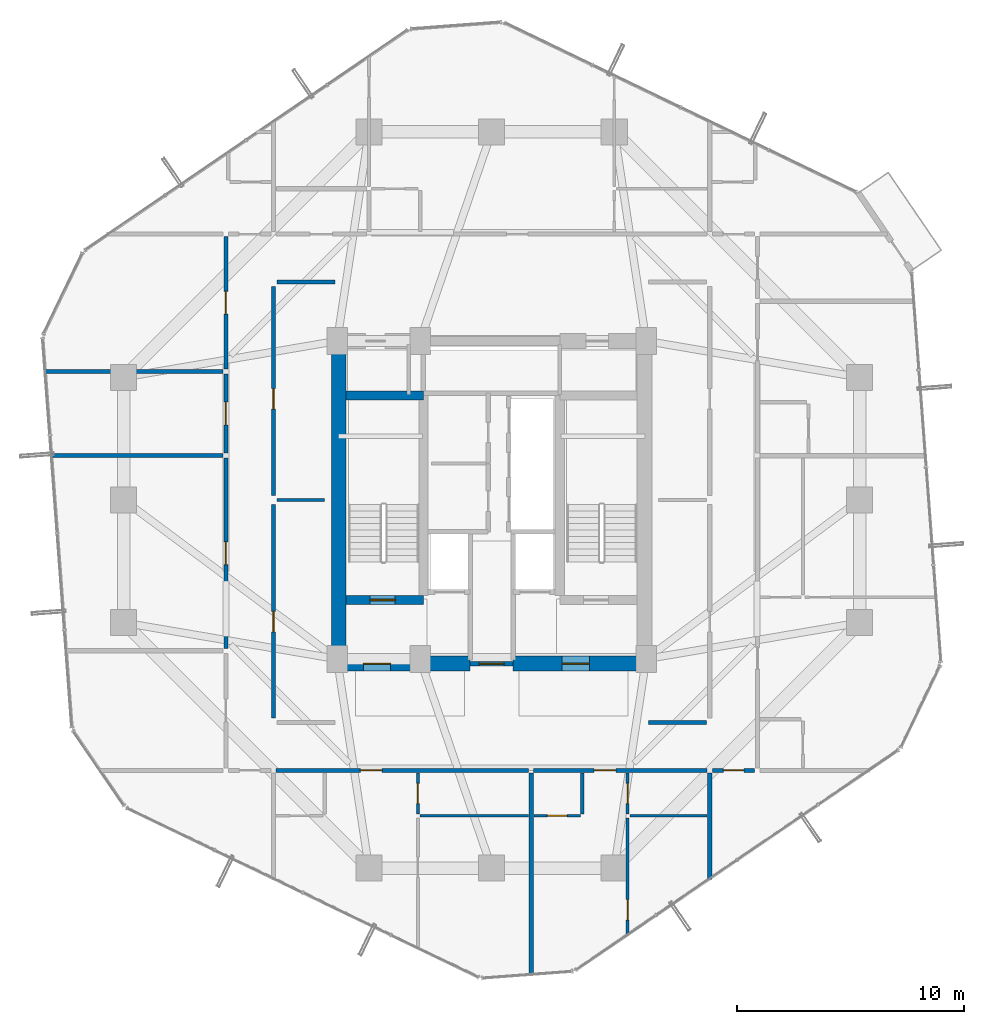
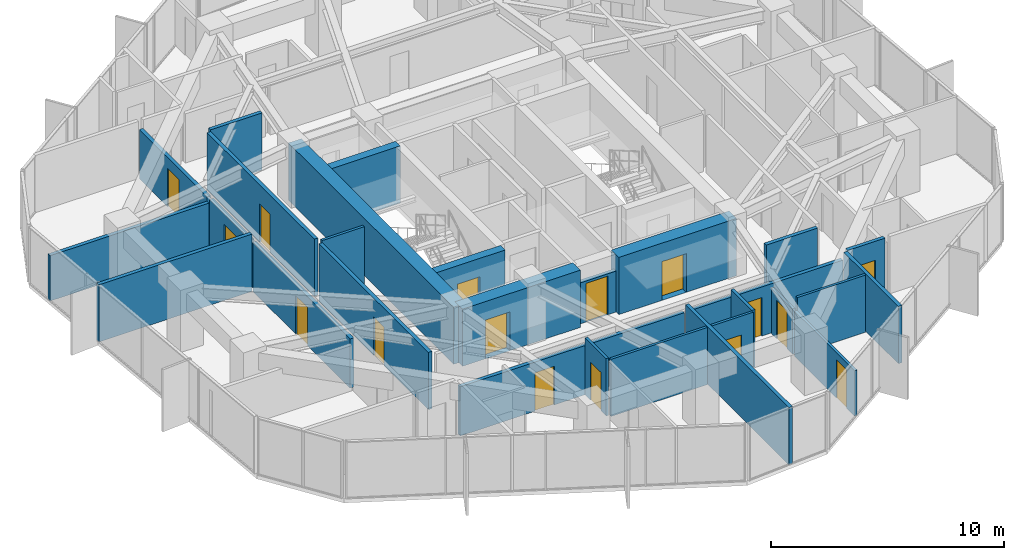
# One storey, part 30 of 35: 28 walls, 16 doors, 16 openings.
"""IFC4 building model written with IfcOpenShell, lengths in metres."""

from ifc_helpers import new_model, si_unit, direction, frame, frame_2d, origin, place, context, subcontext, project, spatial, rectangle, extrude, source, transform, mapped, material, layer, layer_set, type_object, element, fill, save


model = new_model("IFC4")

# Units and contexts
model_context = context("Model", 3, precision=1e-05, world=origin(), true_north=direction((0.0, 1.0)))
body_context = subcontext(model_context, "Body", "Model", "MODEL_VIEW")
ifc_project = project(units=[si_unit("LENGTHUNIT", "METRE"), si_unit("AREAUNIT", "SQUARE_METRE"), si_unit("VOLUMEUNIT", "CUBIC_METRE"), si_unit("PLANEANGLEUNIT", "RADIAN"), si_unit("MASSUNIT", "GRAM", prefix="KILO")], contexts=[model_context])

# Site, building, storey
site_placement = place(None, origin())
site = spatial("IfcSite", under=ifc_project, at=site_placement, CompositionType="ELEMENT")
building_placement = place(site_placement, origin())
building = spatial("IfcBuilding", under=site, at=building_placement, Name="Veraguas Prism Commons", CompositionType="ELEMENT")
storey_placement = place(building_placement, frame((0.0, 0.0, 142.5)))
storey = spatial("IfcBuildingStorey", under=building, at=storey_placement, Name="L40", CompositionType="ELEMENT", Elevation=142.5)

# Wall, opening, door
ifc_material_1 = material(Name="Concrete C50/60", Category="concrete")
ifc_layer_1 = layer(ifc_material_1, 0.39990234375, Name="Clinic and Mid Core Shear Wall RC 400", Category="concrete")
ifc_layer_set_1 = layer_set([ifc_layer_1], Name="Concrete C50/60")
wall_type_1 = type_object("IfcWallType", Name="Clinic and Mid Core Shear Wall RC 400", PredefinedType="SHEAR", material=ifc_layer_set_1)
wall_1_placement = place(storey_placement, frame((17.60009765625, 19.60009765625, 0.0), z_axis=(0.0, 0.0, 1.0), x_axis=(1.0, 0.0, 0.0)))
wall_1 = element("IfcWall", 1, at=wall_1_placement, inside=storey, type_object=wall_type_1, Name="Stair ST-01 South Shear Wall L40", PredefinedType="SHEAR", context=body_context, shape_type="SweptSolid", body=[
    extrude(rectangle(XDim=3.39990234375, YDim=0.39990234375, at=frame_2d((1.699951171875, 0.0))), origin(), (0.0, 0.0, 1.0), 3.0),
])
opening_1_placement = place(wall_1_placement, frame((1.050048828125, 0.0, 0.0)))
opening_1 = element("IfcOpeningElement", 2, at=opening_1_placement, cuts=wall_1, Name="Opening DR-05", PredefinedType="OPENING", context=body_context, shape_type="SweptSolid", body=[
    extrude(rectangle(XDim=1.10009765625, YDim=2.030029296875, at=frame_2d((0.550048828125, 1.01513671875))), frame((0.0, 0.2099609375, 0.0), z_axis=(0.0, -1.0, 0.0), x_axis=(1.0, 0.0, 0.0)), (0.0, 0.0, 1.0), 0.419921875),
])
ifc_material_2 = material(Name="Steel fire-rated door assembly", Category="steel")
door_type_1 = type_object("IfcDoorType", Name="Protected Stair and Refuge Fire Door 1100x2030", OperationType="NOTDEFINED", PredefinedType="DOOR", material=ifc_material_2)
shared_shape_1 = source(origin(), body_context, "Body", "SweptSolid", [
    extrude(rectangle(XDim=1.10009765625, YDim=2.030029296875, at=frame_2d((0.550048828125, 1.01513671875))), frame((0.0, 0.02490234375, 0.0), z_axis=(0.0, -1.0, 0.0), x_axis=(1.0, 0.0, 0.0)), (0.0, 0.0, 1.0), 0.050048828125),
])
door_1_placement = place(opening_1_placement, origin())
door_1 = element("IfcDoor", 3, at=door_1_placement, inside=storey, type_object=door_type_1, Name="Stair ST-01 Enclosure Door L40", OperationType="SINGLE_SWING_RIGHT", OverallHeight=2.030029296875, OverallWidth=1.10009765625, PredefinedType="DOOR", context=body_context, shape_type="MappedRepresentation", body=[
    mapped(shared_shape_1, transform((0.0, 0.0, 0.0), scale=1.0)),
])
fill(opening_1, door_1)

# Walls
wall_2_placement = place(storey_placement, frame((17.60009765625, 28.60009765625, 0.0), z_axis=(0.0, 0.0, 1.0), x_axis=(1.0, 0.0, 0.0)))
element("IfcWall", 4, at=wall_2_placement, inside=storey, type_object=wall_type_1, Name="Stair ST-01 North Shear Wall L40", PredefinedType="SHEAR", context=body_context, shape_type="SweptSolid", body=[
    extrude(rectangle(XDim=3.39990234375, YDim=0.39990234375, at=frame_2d((1.699951171875, 0.0))), origin(), (0.0, 0.0, 1.0), 3.0),
])
ifc_material_3 = material(Name="Concrete C55/67", Category="concrete")
ifc_layer_2 = layer(ifc_material_3, 0.64990234375, Name="Core Outer Shear Wall Mid RC 650", Category="concrete")
ifc_layer_set_2 = layer_set([ifc_layer_2], Name="Concrete C55/67")
wall_type_2 = type_object("IfcWallType", Name="Core Outer Shear Wall Mid RC 650", PredefinedType="SHEAR", material=ifc_layer_set_2)
wall_3_placement = place(storey_placement, frame((17.27490234375, 16.800048828125, 0.0), z_axis=(0.0, 0.0, 1.0), x_axis=(0.0, 1.0, 0.0)))
element("IfcWall", 5, at=wall_3_placement, inside=storey, type_object=wall_type_2, Name="Central Core West Shear Wall L40", PredefinedType="SHEAR", context=body_context, shape_type="SweptSolid", body=[
    extrude(rectangle(XDim=14.199951171875, YDim=0.64990234375, at=frame_2d((7.10009765625, 0.0))), origin(), (0.0, 0.0, 1.0), 3.0),
])

# Wall, opening, door
wall_4_placement = place(storey_placement, frame((17.199951171875, 16.800048828125, 0.0), z_axis=(0.0, 0.0, 1.0), x_axis=(1.0, 0.0, 0.0)))
wall_4 = element("IfcWall", 6, at=wall_4_placement, inside=storey, type_object=wall_type_2, Name="Central Core South-West Shear Wall L40", PredefinedType="SHEAR", context=body_context, shape_type="SweptSolid", body=[
    extrude(rectangle(XDim=5.85009765625, YDim=0.64990234375, at=frame_2d((2.925048828125, 0.0))), origin(), (0.0, 0.0, 1.0), 3.0),
])
opening_2_placement = place(wall_4_placement, frame((1.14990234375, 0.0, 0.0)))
opening_2 = element("IfcOpeningElement", 7, at=opening_2_placement, cuts=wall_4, Name="Opening DR-06", PredefinedType="OPENING", context=body_context, shape_type="SweptSolid", body=[
    extrude(rectangle(XDim=1.199951171875, YDim=2.030029296875, at=frame_2d((0.60009765625, 1.01513671875))), frame((0.0, 0.3349609375, 0.0), z_axis=(0.0, -1.0, 0.0), x_axis=(1.0, 0.0, 0.0)), (0.0, 0.0, 1.0), 0.669921875),
])
door_type_2 = type_object("IfcDoorType", Name="Firefighting Lobby Smoke Door 1200x2030", OperationType="NOTDEFINED", PredefinedType="DOOR", material=ifc_material_2)
shared_shape_2 = source(origin(), body_context, "Body", "SweptSolid", [
    extrude(rectangle(XDim=1.199951171875, YDim=2.030029296875, at=frame_2d((0.60009765625, 1.01513671875))), frame((0.0, 0.02490234375, 0.0), z_axis=(0.0, -1.0, 0.0), x_axis=(1.0, 0.0, 0.0)), (0.0, 0.0, 1.0), 0.050048828125),
])
door_2_placement = place(opening_2_placement, origin())
door_2 = element("IfcDoor", 8, at=door_2_placement, inside=storey, type_object=door_type_2, Name="West FF Lobby Door L40", OperationType="SINGLE_SWING_LEFT", OverallHeight=2.030029296875, OverallWidth=1.199951171875, PredefinedType="DOOR", context=body_context, shape_type="MappedRepresentation", body=[
    mapped(shared_shape_2, transform((0.0, 0.0, 0.0), scale=1.0)),
])
fill(opening_2, door_2)

wall_5_placement = place(storey_placement, frame((24.949951171875, 16.800048828125, 0.0), z_axis=(0.0, 0.0, 1.0), x_axis=(1.0, 0.0, 0.0)))
wall_5 = element("IfcWall", 9, at=wall_5_placement, inside=storey, type_object=wall_type_2, Name="Central Core South-East Shear Wall L40", PredefinedType="SHEAR", context=body_context, shape_type="SweptSolid", body=[
    extrude(rectangle(XDim=5.85009765625, YDim=0.64990234375, at=frame_2d((2.925048828125, 0.0))), origin(), (0.0, 0.0, 1.0), 3.0),
])
opening_3_placement = place(wall_5_placement, frame((2.14990234375, 0.0, 0.0)))
opening_3 = element("IfcOpeningElement", 10, at=opening_3_placement, cuts=wall_5, Name="Opening DR-06", PredefinedType="OPENING", context=body_context, shape_type="SweptSolid", body=[
    extrude(rectangle(XDim=1.199951171875, YDim=2.030029296875, at=frame_2d((0.60009765625, 1.01513671875))), frame((0.0, 0.3349609375, 0.0), z_axis=(0.0, -1.0, 0.0), x_axis=(1.0, 0.0, 0.0)), (0.0, 0.0, 1.0), 0.669921875),
])
door_3_placement = place(opening_3_placement, origin())
door_3 = element("IfcDoor", 11, at=door_3_placement, inside=storey, type_object=door_type_2, Name="East FF Lobby Door L40", OperationType="SINGLE_SWING_LEFT", OverallHeight=2.030029296875, OverallWidth=1.199951171875, PredefinedType="DOOR", context=body_context, shape_type="MappedRepresentation", body=[
    mapped(shared_shape_2, transform((0.0, 0.0, 0.0), scale=1.0)),
])
fill(opening_3, door_3)

ifc_material_4 = material(Name="Autoclaved aerated masonry block 10 MPa", Category="masonry")
ifc_layer_3 = layer(ifc_material_4, 0.179931640625, Name="Corridor and Inter-Tenancy Partition 180", Category="masonry")
ifc_layer_set_3 = layer_set([ifc_layer_3], Name="Autoclaved aerated masonry block 10 MPa")
wall_type_3 = type_object("IfcWallType", Name="Corridor and Inter-Tenancy Partition 180", PredefinedType="PARTITIONING", material=ifc_layer_set_3)
wall_6_placement = place(storey_placement, frame((14.39990234375, 14.39990234375, 0.0), z_axis=(0.0, 0.0, 1.0), x_axis=(0.0, 1.0, 0.0)))
wall_6 = element("IfcWall", 12, at=wall_6_placement, inside=storey, type_object=wall_type_3, Name="WL-L40-IRW1", PredefinedType="PARTITIONING", context=body_context, shape_type="SweptSolid", body=[
    extrude(rectangle(XDim=9.400146484375, YDim=0.179931640625, at=frame_2d((4.7001953125, 0.0))), origin(), (0.0, 0.0, 1.0), 3.0),
])
opening_4_placement = place(wall_6_placement, frame((3.800048828125, 0.0, 0.0)))
opening_4 = element("IfcOpeningElement", 13, at=opening_4_placement, cuts=wall_6, Name="Opening DR-14", PredefinedType="OPENING", context=body_context, shape_type="SweptSolid", body=[
    extrude(rectangle(XDim=0.89990234375, YDim=2.010009765625, at=frame_2d((0.449951171875, 1.0048828125))), frame((0.0, 0.099853515625, 0.0), z_axis=(0.0, -1.0, 0.0), x_axis=(1.0, 0.0, 0.0)), (0.0, 0.0, 1.0), 0.199951171875),
])
door_type_3 = type_object("IfcDoorType", Name="Core Service Room Fire Door 900x2010", OperationType="NOTDEFINED", PredefinedType="DOOR", material=ifc_material_2)
shared_shape_3 = source(origin(), body_context, "Body", "SweptSolid", [
    extrude(rectangle(XDim=0.89990234375, YDim=2.010009765625, at=frame_2d((0.449951171875, 1.0048828125))), frame((0.0, 0.02490234375, 0.0), z_axis=(0.0, -1.0, 0.0), x_axis=(1.0, 0.0, 0.0)), (0.0, 0.0, 1.0), 0.050048828125),
])
door_4_placement = place(opening_4_placement, origin())
door_4 = element("IfcDoor", 14, at=door_4_placement, inside=storey, type_object=door_type_3, Name="Residents Quiet Study Pod Door L40", OperationType="SINGLE_SWING_RIGHT", OverallHeight=2.010009765625, OverallWidth=0.89990234375, PredefinedType="DOOR", context=body_context, shape_type="MappedRepresentation", body=[
    mapped(shared_shape_3, transform((0.0, 0.0, 0.0), scale=1.0)),
])
fill(opening_4, door_4)

wall_7_placement = place(storey_placement, frame((14.39990234375, 24.199951171875, 0.0), z_axis=(0.0, 0.0, 1.0), x_axis=(0.0, 1.0, 0.0)))
wall_7 = element("IfcWall", 15, at=wall_7_placement, inside=storey, type_object=wall_type_3, Name="WL-L40-IRW2", PredefinedType="PARTITIONING", context=body_context, shape_type="SweptSolid", body=[
    extrude(rectangle(XDim=9.199951171875, YDim=0.179931640625, at=frame_2d((4.60009765625, 0.0))), origin(), (0.0, 0.0, 1.0), 3.0),
])
opening_5_placement = place(wall_7_placement, frame((3.800048828125, 0.0, 0.0)))
opening_5 = element("IfcOpeningElement", 16, at=opening_5_placement, cuts=wall_7, Name="Opening DR-14", PredefinedType="OPENING", context=body_context, shape_type="SweptSolid", body=[
    extrude(rectangle(XDim=0.89990234375, YDim=2.010009765625, at=frame_2d((0.449951171875, 1.0048828125))), frame((0.0, 0.099853515625, 0.0), z_axis=(0.0, -1.0, 0.0), x_axis=(1.0, 0.0, 0.0)), (0.0, 0.0, 1.0), 0.199951171875),
])
door_5_placement = place(opening_5_placement, origin())
door_5 = element("IfcDoor", 17, at=door_5_placement, inside=storey, type_object=door_type_3, Name="Co-op Cycle and Pram Store Door L40", OperationType="SINGLE_SWING_LEFT", OverallHeight=2.010009765625, OverallWidth=0.89990234375, PredefinedType="DOOR", context=body_context, shape_type="MappedRepresentation", body=[
    mapped(shared_shape_3, transform((0.0, 0.0, 0.0), scale=1.0)),
])
fill(opening_5, door_5)

# Walls
for number, where, z_axis, x_axis, name in (
    (18, (14.550048828125, 33.60009765625, 0.0), (0.0, 0.0, 1.0), (1.0, 0.0, 0.0), "WL-L40-IRWN"),
    (19, (30.89990234375, 14.199951171875, 0.0), (0.0, 0.0, 1.0), (1.0, 0.0, 0.0), "WL-L40-IRES"),
):
    element("IfcWall", number, at=place(storey_placement, frame(where, z_axis=z_axis, x_axis=x_axis)), inside=storey, type_object=wall_type_3, Name=name, PredefinedType="PARTITIONING", context=body_context, shape_type="SweptSolid", body=[
        extrude(rectangle(XDim=2.550048828125, YDim=0.179931640625, at=frame_2d((1.27490234375, 0.0))), origin(), (0.0, 0.0, 1.0), 3.0),
    ])
wall_8_placement = place(storey_placement, frame((33.60009765625, 11.97998046875, 0.0), z_axis=(0.0, 0.0, 1.0), x_axis=(0.0, -1.0, 0.0)))
element("IfcWall", 20, at=wall_8_placement, inside=storey, type_object=wall_type_3, Name="WL-L40-PT002", PredefinedType="PARTITIONING", context=body_context, shape_type="SweptSolid", body=[
    extrude(rectangle(XDim=4.688232421875, YDim=0.179931640625, at=frame_2d((2.34423828125, 0.0))), origin(), (0.0, 0.0, 1.0), 3.0),
])

# Wall, opening, door
wall_9_placement = place(storey_placement, frame((14.510009765625, 12.10009765625, 0.0), z_axis=(0.0, 0.0, 1.0), x_axis=(1.0, 0.0, 0.0)))
wall_9 = element("IfcWall", 21, at=wall_9_placement, inside=storey, type_object=wall_type_3, Name="WL-L40-PT003", PredefinedType="PARTITIONING", context=body_context, shape_type="SweptSolid", body=[
    extrude(rectangle(XDim=11.1240234375, YDim=0.179931640625, at=frame_2d((5.56201171875, 0.0))), origin(), (0.0, 0.0, 1.0), 2.580078125),
])
opening_6_placement = place(wall_9_placement, frame((3.716552734375, 0.0, 0.0)))
opening_6 = element("IfcOpeningElement", 22, at=opening_6_placement, cuts=wall_9, Name="Opening DR-01", PredefinedType="OPENING", context=body_context, shape_type="SweptSolid", body=[
    extrude(rectangle(XDim=0.949951171875, YDim=2.02001953125, at=frame_2d((0.47509765625, 1.010009765625))), frame((0.0, 0.099853515625, 0.0), z_axis=(0.0, -1.0, 0.0), x_axis=(1.0, 0.0, 0.0)), (0.0, 0.0, 1.0), 0.199951171875),
])
ifc_material_5 = material(Name="Anodised aluminium EN AW-6063 T6", Category="aluminium")
door_type_4 = type_object("IfcDoorType", Name="Apartment Entrance Fire Door 950x2020", OperationType="NOTDEFINED", PredefinedType="DOOR", material=ifc_material_5)
shared_shape_4 = source(origin(), body_context, "Body", "SweptSolid", [
    extrude(rectangle(XDim=0.949951171875, YDim=2.02001953125, at=frame_2d((0.47509765625, 1.010009765625))), frame((0.0, 0.02490234375, 0.0), z_axis=(0.0, -1.0, 0.0), x_axis=(1.0, 0.0, 0.0)), (0.0, 0.0, 1.0), 0.050048828125),
])
door_6_placement = place(opening_6_placement, origin())
door_6 = element("IfcDoor", 23, at=door_6_placement, inside=storey, type_object=door_type_4, Name="Flat 40A Entrance Door", OperationType="SINGLE_SWING_RIGHT", OverallHeight=2.02001953125, OverallWidth=0.949951171875, PredefinedType="DOOR", context=body_context, shape_type="MappedRepresentation", body=[
    mapped(shared_shape_4, transform((0.0, 0.0, 0.0), scale=1.0)),
])
fill(opening_6, door_6)

# Wall
wall_10_placement = place(storey_placement, frame((25.743896484375, 11.97998046875, 0.0), z_axis=(0.0, 0.0, 1.0), x_axis=(0.0, -1.0, 0.0)))
element("IfcWall", 24, at=wall_10_placement, inside=storey, type_object=wall_type_3, Name="WL-L40-PT009", PredefinedType="PARTITIONING", context=body_context, shape_type="SweptSolid", body=[
    extrude(rectangle(XDim=8.88916015625, YDim=0.179931640625, at=frame_2d((4.444580078125, 0.0))), origin(), (0.0, 0.0, 1.0), 3.0),
])

# Wall, opening, door
wall_11_placement = place(storey_placement, frame((25.85400390625, 12.10009765625, 0.0), z_axis=(0.0, 0.0, 1.0), x_axis=(1.0, 0.0, 0.0)))
wall_11 = element("IfcWall", 25, at=wall_11_placement, inside=storey, type_object=wall_type_3, Name="WL-L40-PT010", PredefinedType="PARTITIONING", context=body_context, shape_type="SweptSolid", body=[
    extrude(rectangle(XDim=7.635986328125, YDim=0.179931640625, at=frame_2d((3.81787109375, 0.0))), origin(), (0.0, 0.0, 1.0), 2.580078125),
])
opening_7_placement = place(wall_11_placement, frame((2.660888671875, 0.0, 0.0)))
opening_7 = element("IfcOpeningElement", 26, at=opening_7_placement, cuts=wall_11, Name="Opening DR-01", PredefinedType="OPENING", context=body_context, shape_type="SweptSolid", body=[
    extrude(rectangle(XDim=0.949951171875, YDim=2.02001953125, at=frame_2d((0.47509765625, 1.010009765625))), frame((0.0, 0.099853515625, 0.0), z_axis=(0.0, -1.0, 0.0), x_axis=(1.0, 0.0, 0.0)), (0.0, 0.0, 1.0), 0.199951171875),
])
door_7_placement = place(opening_7_placement, origin())
door_7 = element("IfcDoor", 27, at=door_7_placement, inside=storey, type_object=door_type_4, Name="Flat 40B Entrance Door", OperationType="SINGLE_SWING_RIGHT", OverallHeight=2.02001953125, OverallWidth=0.949951171875, PredefinedType="DOOR", context=body_context, shape_type="MappedRepresentation", body=[
    mapped(shared_shape_4, transform((0.0, 0.0, 0.0), scale=1.0)),
])
fill(opening_7, door_7)

wall_12_placement = place(storey_placement, frame((12.300048828125, 17.47412109375, 0.0), z_axis=(0.0, 0.0, 1.0), x_axis=(0.0, 1.0, 0.0)))
wall_12 = element("IfcWall", 28, at=wall_12_placement, inside=storey, type_object=wall_type_3, Name="WL-L40-PT031", PredefinedType="PARTITIONING", context=body_context, shape_type="SweptSolid", body=[
    extrude(rectangle(XDim=8.367919921875, YDim=0.179931640625, at=frame_2d((4.18408203125, 0.0))), origin(), (0.0, 0.0, 1.0), 2.580078125),
])
opening_8_placement = place(wall_12_placement, frame((3.68408203125, 0.0, 0.0)))
opening_8 = element("IfcOpeningElement", 29, at=opening_8_placement, cuts=wall_12, Name="Opening DR-13", PredefinedType="OPENING", context=body_context, shape_type="SweptSolid", body=[
    extrude(rectangle(XDim=1.0, YDim=2.010009765625, at=frame_2d((0.5, 1.0048828125))), frame((0.0, 0.099853515625, 0.0), z_axis=(0.0, -1.0, 0.0), x_axis=(1.0, 0.0, 0.0)), (0.0, 0.0, 1.0), 0.199951171875),
])
door_type_5 = type_object("IfcDoorType", Name="Core Accessible WC and Clinic Fire Door 1000x2010", OperationType="NOTDEFINED", PredefinedType="DOOR", material=ifc_material_2)
shared_shape_5 = source(origin(), body_context, "Body", "SweptSolid", [
    extrude(rectangle(XDim=1.0, YDim=2.010009765625, at=frame_2d((0.5, 1.0048828125))), frame((0.0, 0.02490234375, 0.0), z_axis=(0.0, -1.0, 0.0), x_axis=(1.0, 0.0, 0.0)), (0.0, 0.0, 1.0), 0.050048828125),
])
door_8_placement = place(opening_8_placement, origin())
door_8 = element("IfcDoor", 30, at=door_8_placement, inside=storey, type_object=door_type_5, Name="Co-op Store W Door", OperationType="SINGLE_SWING_LEFT", OverallHeight=2.010009765625, OverallWidth=1.0, PredefinedType="DOOR", context=body_context, shape_type="MappedRepresentation", body=[
    mapped(shared_shape_5, transform((0.0, 0.0, 0.0), scale=1.0)),
])
fill(opening_8, door_8)

# Wall
wall_13_placement = place(storey_placement, frame((12.179931640625, 25.951904296875, 0.0), z_axis=(0.0, 0.0, 1.0), x_axis=(-1.0, 0.0, 0.0)))
element("IfcWall", 31, at=wall_13_placement, inside=storey, type_object=wall_type_3, Name="WL-L40-PT033", PredefinedType="PARTITIONING", context=body_context, shape_type="SweptSolid", body=[
    extrude(rectangle(XDim=7.593505859375, YDim=0.179931640625, at=frame_2d((3.796875, 0.0))), origin(), (0.0, 0.0, 1.0), 3.0),
])

# Wall, opening, door
wall_14_placement = place(storey_placement, frame((12.300048828125, 26.06201171875, 0.0), z_axis=(0.0, 0.0, 1.0), x_axis=(0.0, 1.0, 0.0)))
wall_14 = element("IfcWall", 32, at=wall_14_placement, inside=storey, type_object=wall_type_3, Name="WL-L40-PT034", PredefinedType="PARTITIONING", context=body_context, shape_type="SweptSolid", body=[
    extrude(rectangle(XDim=3.48388671875, YDim=0.179931640625, at=frame_2d((1.741943359375, 0.0))), origin(), (0.0, 0.0, 1.0), 2.580078125),
])
opening_9_placement = place(wall_14_placement, frame((1.241943359375, 0.0, 0.0)))
opening_9 = element("IfcOpeningElement", 33, at=opening_9_placement, cuts=wall_14, Name="Opening DR-13", PredefinedType="OPENING", context=body_context, shape_type="SweptSolid", body=[
    extrude(rectangle(XDim=1.0, YDim=2.010009765625, at=frame_2d((0.5, 1.0048828125))), frame((0.0, 0.099853515625, 0.0), z_axis=(0.0, -1.0, 0.0), x_axis=(1.0, 0.0, 0.0)), (0.0, 0.0, 1.0), 0.199951171875),
])
door_9_placement = place(opening_9_placement, origin())
door_9 = element("IfcDoor", 34, at=door_9_placement, inside=storey, type_object=door_type_5, Name="Youth Homework Study Room Door", OperationType="SINGLE_SWING_RIGHT", OverallHeight=2.010009765625, OverallWidth=1.0, PredefinedType="DOOR", context=body_context, shape_type="MappedRepresentation", body=[
    mapped(shared_shape_5, transform((0.0, 0.0, 0.0), scale=1.0)),
])
fill(opening_9, door_9)

wall_15_placement = place(storey_placement, frame((12.300048828125, 29.76611328125, 0.0), z_axis=(0.0, 0.0, 1.0), x_axis=(0.0, 1.0, 0.0)))
wall_15 = element("IfcWall", 35, at=wall_15_placement, inside=storey, type_object=wall_type_3, Name="WL-L40-PT035", PredefinedType="PARTITIONING", context=body_context, shape_type="SweptSolid", body=[
    extrude(rectangle(XDim=5.823974609375, YDim=0.179931640625, at=frame_2d((2.912109375, 0.0))), origin(), (0.0, 0.0, 1.0), 2.580078125),
])
opening_10_placement = place(wall_15_placement, frame((2.412109375, 0.0, 0.0)))
opening_10 = element("IfcOpeningElement", 36, at=opening_10_placement, cuts=wall_15, Name="Opening DR-13", PredefinedType="OPENING", context=body_context, shape_type="SweptSolid", body=[
    extrude(rectangle(XDim=1.0, YDim=2.010009765625, at=frame_2d((0.5, 1.0048828125))), frame((0.0, 0.099853515625, 0.0), z_axis=(0.0, -1.0, 0.0), x_axis=(1.0, 0.0, 0.0)), (0.0, 0.0, 1.0), 0.199951171875),
])
door_10_placement = place(opening_10_placement, origin())
door_10 = element("IfcDoor", 37, at=door_10_placement, inside=storey, type_object=door_type_5, Name="Co-op Store W Door", OperationType="SINGLE_SWING_LEFT", OverallHeight=2.010009765625, OverallWidth=1.0, PredefinedType="DOOR", context=body_context, shape_type="MappedRepresentation", body=[
    mapped(shared_shape_5, transform((0.0, 0.0, 0.0), scale=1.0)),
])
fill(opening_10, door_10)

# Wall
wall_16_placement = place(storey_placement, frame((12.179931640625, 29.656005859375, 0.0), z_axis=(0.0, 0.0, 1.0), x_axis=(-1.0, 0.0, 0.0)))
element("IfcWall", 38, at=wall_16_placement, inside=storey, type_object=wall_type_3, Name="WL-L40-PT036", PredefinedType="PARTITIONING", context=body_context, shape_type="SweptSolid", body=[
    extrude(rectangle(XDim=7.871826171875, YDim=0.179931640625, at=frame_2d((3.93603515625, 0.0))), origin(), (0.0, 0.0, 1.0), 2.3779296875),
])

# Wall, opening, door
wall_17_placement = place(storey_placement, frame((33.719970703125, 12.10009765625, 0.0), z_axis=(0.0, 0.0, 1.0), x_axis=(1.0, 0.0, 0.0)))
wall_17 = element("IfcWall", 39, at=wall_17_placement, inside=storey, type_object=wall_type_3, Name="WL-L40-PT052", PredefinedType="PARTITIONING", context=body_context, shape_type="SweptSolid", body=[
    extrude(rectangle(XDim=1.860107421875, YDim=0.179931640625, at=frame_2d((0.93017578125, 0.0))), origin(), (0.0, 0.0, 1.0), 3.0),
])
opening_11_placement = place(wall_17_placement, frame((0.47998046875, 0.0, 0.0)))
opening_11 = element("IfcOpeningElement", 40, at=opening_11_placement, cuts=wall_17, Name="Opening DR-14", PredefinedType="OPENING", context=body_context, shape_type="SweptSolid", body=[
    extrude(rectangle(XDim=0.89990234375, YDim=2.010009765625, at=frame_2d((0.449951171875, 1.0048828125))), frame((0.0, 0.099853515625, 0.0), z_axis=(0.0, -1.0, 0.0), x_axis=(1.0, 0.0, 0.0)), (0.0, 0.0, 1.0), 0.199951171875),
])
door_11_placement = place(opening_11_placement, origin())
door_11 = element("IfcDoor", 41, at=door_11_placement, inside=storey, type_object=door_type_3, Name="Community Co-op Kitchen SE Door", OperationType="SINGLE_SWING_RIGHT", OverallHeight=2.010009765625, OverallWidth=0.89990234375, PredefinedType="DOOR", context=body_context, shape_type="MappedRepresentation", body=[
    mapped(shared_shape_3, transform((0.0, 0.0, 0.0), scale=1.0)),
])
fill(opening_11, door_11)

# Wall
ifc_material_6 = material(Name="Lightweight acoustic gypsum board")
ifc_layer_4 = layer(ifc_material_6, 0.125, Name="Internal Apartment Room Partition 125")
ifc_layer_set_4 = layer_set([ifc_layer_4], Name="Lightweight acoustic gypsum board")
wall_type_4 = type_object("IfcWallType", Name="Internal Apartment Room Partition 125", PredefinedType="PARTITIONING", material=ifc_layer_set_4)
wall_18_placement = place(storey_placement, frame((14.550048828125, 24.0, 0.0), z_axis=(0.0, 0.0, 1.0), x_axis=(1.0, 0.0, 0.0)))
element("IfcWall", 42, at=wall_18_placement, inside=storey, type_object=wall_type_4, Name="WL-L40-IRWM", PredefinedType="PARTITIONING", context=body_context, shape_type="SweptSolid", body=[
    extrude(rectangle(XDim=2.099853515625, YDim=0.125, at=frame_2d((1.0498046875, 0.0))), origin(), (0.0, 0.0, 1.0), 3.0),
])

# Wall, opening, door
wall_19_placement = place(storey_placement, frame((20.7529296875, 11.97998046875, 0.0), z_axis=(0.0, 0.0, 1.0), x_axis=(0.0, -1.0, 0.0)))
wall_19 = element("IfcWall", 43, at=wall_19_placement, inside=storey, type_object=wall_type_4, Name="WL-L40-PT006", PredefinedType="PARTITIONING", context=body_context, shape_type="SweptSolid", body=[
    extrude(rectangle(XDim=1.800048828125, YDim=0.125, at=frame_2d((0.89990234375, 0.0))), origin(), (0.0, 0.0, 1.0), 3.0),
])
opening_12_placement = place(wall_19_placement, frame((0.449951171875, 0.0, 0.0)))
opening_12 = element("IfcOpeningElement", 44, at=opening_12_placement, cuts=wall_19, Name="Opening DR-02", PredefinedType="OPENING", context=body_context, shape_type="SweptSolid", body=[
    extrude(rectangle(XDim=0.89990234375, YDim=2.010009765625, at=frame_2d((0.449951171875, 1.0048828125))), frame((0.0, 0.072509765625, 0.0), z_axis=(0.0, -1.0, 0.0), x_axis=(1.0, 0.0, 0.0)), (0.0, 0.0, 1.0), 0.14501953125),
])
ifc_material_7 = material(Name="Timber solid core hardwood", Category="wood")
door_type_6 = type_object("IfcDoorType", Name="Internal Habitable Room Door 900x2010", OperationType="NOTDEFINED", PredefinedType="DOOR", material=ifc_material_7)
door_12_placement = place(opening_12_placement, origin())
door_12 = element("IfcDoor", 45, at=door_12_placement, inside=storey, type_object=door_type_6, Name="Flat 40A Kitchen Door", OperationType="SINGLE_SWING_RIGHT", OverallHeight=2.010009765625, OverallWidth=0.89990234375, PredefinedType="DOOR", context=body_context, shape_type="MappedRepresentation", body=[
    mapped(shared_shape_3, transform((0.0, 0.0, 0.0), scale=1.0)),
])
fill(opening_12, door_12)

# Wall
wall_20_placement = place(storey_placement, frame((20.85302734375, 10.10009765625, 0.0), z_axis=(0.0, 0.0, 1.0), x_axis=(1.0, 0.0, 0.0)))
element("IfcWall", 46, at=wall_20_placement, inside=storey, type_object=wall_type_4, Name="WL-L40-PT007", PredefinedType="PARTITIONING", context=body_context, shape_type="SweptSolid", body=[
    extrude(rectangle(XDim=4.77099609375, YDim=0.125, at=frame_2d((2.385498046875, 0.0))), origin(), (0.0, 0.0, 1.0), 3.0),
])

# Wall, opening, door
wall_21_placement = place(storey_placement, frame((25.864013671875, 10.10009765625, 0.0), z_axis=(0.0, 0.0, 1.0), x_axis=(1.0, 0.0, 0.0)))
wall_21 = element("IfcWall", 47, at=wall_21_placement, inside=storey, type_object=wall_type_4, Name="WL-L40-PT012", PredefinedType="PARTITIONING", context=body_context, shape_type="SweptSolid", body=[
    extrude(rectangle(XDim=2.050048828125, YDim=0.125, at=frame_2d((1.02490234375, 0.0))), origin(), (0.0, 0.0, 1.0), 3.0),
])
opening_13_placement = place(wall_21_placement, frame((0.594970703125, 0.0, 0.0)))
opening_13 = element("IfcOpeningElement", 48, at=opening_13_placement, cuts=wall_21, Name="Opening DR-03", PredefinedType="OPENING", context=body_context, shape_type="SweptSolid", body=[
    extrude(rectangle(XDim=0.860107421875, YDim=2.010009765625, at=frame_2d((0.43017578125, 1.0048828125))), frame((0.0, 0.072509765625, 0.0), z_axis=(0.0, -1.0, 0.0), x_axis=(1.0, 0.0, 0.0)), (0.0, 0.0, 1.0), 0.14501953125),
])
ifc_material_8 = material(Name="Timber moisture-resistant leaf", Category="wood")
door_type_7 = type_object("IfcDoorType", Name="Internal Bathroom Door 860x2010", OperationType="NOTDEFINED", PredefinedType="DOOR", material=ifc_material_8)
shared_shape_6 = source(origin(), body_context, "Body", "SweptSolid", [
    extrude(rectangle(XDim=0.860107421875, YDim=2.010009765625, at=frame_2d((0.43017578125, 1.0048828125))), frame((0.0, 0.02490234375, 0.0), z_axis=(0.0, -1.0, 0.0), x_axis=(1.0, 0.0, 0.0)), (0.0, 0.0, 1.0), 0.050048828125),
])
door_13_placement = place(opening_13_placement, origin())
door_13 = element("IfcDoor", 49, at=door_13_placement, inside=storey, type_object=door_type_7, Name="Flat 40B Bathroom Door", OperationType="SINGLE_SWING_LEFT", OverallHeight=2.010009765625, OverallWidth=0.860107421875, PredefinedType="DOOR", context=body_context, shape_type="MappedRepresentation", body=[
    mapped(shared_shape_6, transform((0.0, 0.0, 0.0), scale=1.0)),
])
fill(opening_13, door_13)

wall_22_placement = place(storey_placement, frame((29.986083984375, 11.97998046875, 0.0), z_axis=(0.0, 0.0, 1.0), x_axis=(0.0, -1.0, 0.0)))
wall_22 = element("IfcWall", 50, at=wall_22_placement, inside=storey, type_object=wall_type_4, Name="WL-L40-PT013", PredefinedType="PARTITIONING", context=body_context, shape_type="SweptSolid", body=[
    extrude(rectangle(XDim=1.800048828125, YDim=0.125, at=frame_2d((0.89990234375, 0.0))), origin(), (0.0, 0.0, 1.0), 2.3779296875),
])
opening_14_placement = place(wall_22_placement, frame((0.449951171875, 0.0, 0.0)))
opening_14 = element("IfcOpeningElement", 51, at=opening_14_placement, cuts=wall_22, Name="Opening DR-02", PredefinedType="OPENING", context=body_context, shape_type="SweptSolid", body=[
    extrude(rectangle(XDim=0.89990234375, YDim=2.010009765625, at=frame_2d((0.449951171875, 1.0048828125))), frame((0.0, 0.072509765625, 0.0), z_axis=(0.0, -1.0, 0.0), x_axis=(1.0, 0.0, 0.0)), (0.0, 0.0, 1.0), 0.14501953125),
])
door_14_placement = place(opening_14_placement, origin())
door_14 = element("IfcDoor", 52, at=door_14_placement, inside=storey, type_object=door_type_6, Name="Flat 40B Kitchen Door", OperationType="SINGLE_SWING_RIGHT", OverallHeight=2.010009765625, OverallWidth=0.89990234375, PredefinedType="DOOR", context=body_context, shape_type="MappedRepresentation", body=[
    mapped(shared_shape_3, transform((0.0, 0.0, 0.0), scale=1.0)),
])
fill(opening_14, door_14)

# Wall
wall_23_placement = place(storey_placement, frame((30.0859375, 10.10009765625, 0.0), z_axis=(0.0, 0.0, 1.0), x_axis=(1.0, 0.0, 0.0)))
element("IfcWall", 53, at=wall_23_placement, inside=storey, type_object=wall_type_4, Name="WL-L40-PT014", PredefinedType="PARTITIONING", context=body_context, shape_type="SweptSolid", body=[
    extrude(rectangle(XDim=3.39404296875, YDim=0.125, at=frame_2d((1.697021484375, 0.0))), origin(), (0.0, 0.0, 1.0), 3.0),
])

# Wall, opening, door
wall_24_placement = place(storey_placement, frame((29.986083984375, 10.0, 0.0), z_axis=(0.0, 0.0, 1.0), x_axis=(0.0, -1.0, 0.0)))
wall_24 = element("IfcWall", 54, at=wall_24_placement, inside=storey, type_object=wall_type_4, Name="WL-L40-PT015", PredefinedType="PARTITIONING", context=body_context, shape_type="SweptSolid", body=[
    extrude(rectangle(XDim=5.173583984375, YDim=0.125, at=frame_2d((2.5869140625, 0.0))), origin(), (0.0, 0.0, 1.0), 2.3779296875),
])
opening_15_placement = place(wall_24_placement, frame((3.58935546875, 0.0, 0.0)))
opening_15 = element("IfcOpeningElement", 55, at=opening_15_placement, cuts=wall_24, Name="Opening DR-02", PredefinedType="OPENING", context=body_context, shape_type="SweptSolid", body=[
    extrude(rectangle(XDim=0.89990234375, YDim=2.010009765625, at=frame_2d((0.449951171875, 1.0048828125))), frame((0.0, 0.072509765625, 0.0), z_axis=(0.0, -1.0, 0.0), x_axis=(1.0, 0.0, 0.0)), (0.0, 0.0, 1.0), 0.14501953125),
])
door_15_placement = place(opening_15_placement, origin())
door_15 = element("IfcDoor", 56, at=door_15_placement, inside=storey, type_object=door_type_6, Name="Flat 40B Bedroom 1 Door", OperationType="SINGLE_SWING_LEFT", OverallHeight=2.010009765625, OverallWidth=0.89990234375, PredefinedType="DOOR", context=body_context, shape_type="MappedRepresentation", body=[
    mapped(shared_shape_3, transform((0.0, 0.0, 0.0), scale=1.0)),
])
fill(opening_15, door_15)

ifc_layer_5 = layer(ifc_material_4, 0.199951171875, Name="Rated Shaft and Lobby Block Wall 200", Category="masonry")
ifc_layer_set_5 = layer_set([ifc_layer_5], Name="Autoclaved aerated masonry block 10 MPa")
wall_type_5 = type_object("IfcWallType", Name="Rated Shaft and Lobby Block Wall 200", PredefinedType="SOLIDWALL", material=ifc_layer_set_5)
wall_25_placement = place(storey_placement, frame((23.050048828125, 16.800048828125, 0.0), z_axis=(0.0, 0.0, 1.0), x_axis=(1.0, 0.0, 0.0)))
wall_25 = element("IfcWall", 57, at=wall_25_placement, inside=storey, type_object=wall_type_5, Name="Central Core Lobby Entrance Wall L40", PredefinedType="SOLIDWALL", context=body_context, shape_type="SweptSolid", body=[
    extrude(rectangle(XDim=1.89990234375, YDim=0.199951171875, at=frame_2d((0.949951171875, 0.0))), origin(), (0.0, 0.0, 1.0), 2.14990234375),
])
opening_16_placement = place(wall_25_placement, frame((0.39990234375, 0.0, 0.0)))
opening_16 = element("IfcOpeningElement", 58, at=opening_16_placement, cuts=wall_25, Name="Opening DR-05", PredefinedType="OPENING", context=body_context, shape_type="SweptSolid", body=[
    extrude(rectangle(XDim=1.10009765625, YDim=2.030029296875, at=frame_2d((0.550048828125, 1.01513671875))), frame((0.0, 0.10986328125, 0.0), z_axis=(0.0, -1.0, 0.0), x_axis=(1.0, 0.0, 0.0)), (0.0, 0.0, 1.0), 0.219970703125),
])
door_16_placement = place(opening_16_placement, origin())
door_16 = element("IfcDoor", 59, at=door_16_placement, inside=storey, type_object=door_type_1, Name="Central Lobby Door L40", OperationType="SINGLE_SWING_RIGHT", OverallHeight=2.030029296875, OverallWidth=1.10009765625, PredefinedType="DOOR", context=body_context, shape_type="MappedRepresentation", body=[
    mapped(shared_shape_1, transform((0.0, 0.0, 0.0), scale=1.0)),
])
fill(opening_16, door_16)

# Wall
ifc_layer_6 = layer(ifc_material_6, 0.14990234375, Name="Wet Room and Clinic Acoustic Partition 150")
ifc_layer_set_6 = layer_set([ifc_layer_6], Name="Lightweight acoustic gypsum board")
wall_type_6 = type_object("IfcWallType", Name="Wet Room and Clinic Acoustic Partition 150", PredefinedType="PARTITIONING", material=ifc_layer_set_6)
wall_26_placement = place(storey_placement, frame((27.993896484375, 11.97998046875, 0.0), z_axis=(0.0, 0.0, 1.0), x_axis=(0.0, -1.0, 0.0)))
element("IfcWall", 60, at=wall_26_placement, inside=storey, type_object=wall_type_6, Name="WL-L40-PT011", PredefinedType="PARTITIONING", context=body_context, shape_type="SweptSolid", body=[
    extrude(rectangle(XDim=1.800048828125, YDim=0.14990234375, at=frame_2d((0.89990234375, 0.0))), origin(), (0.0, 0.0, 1.0), 3.0),
])

save(model, "model.ifc")
